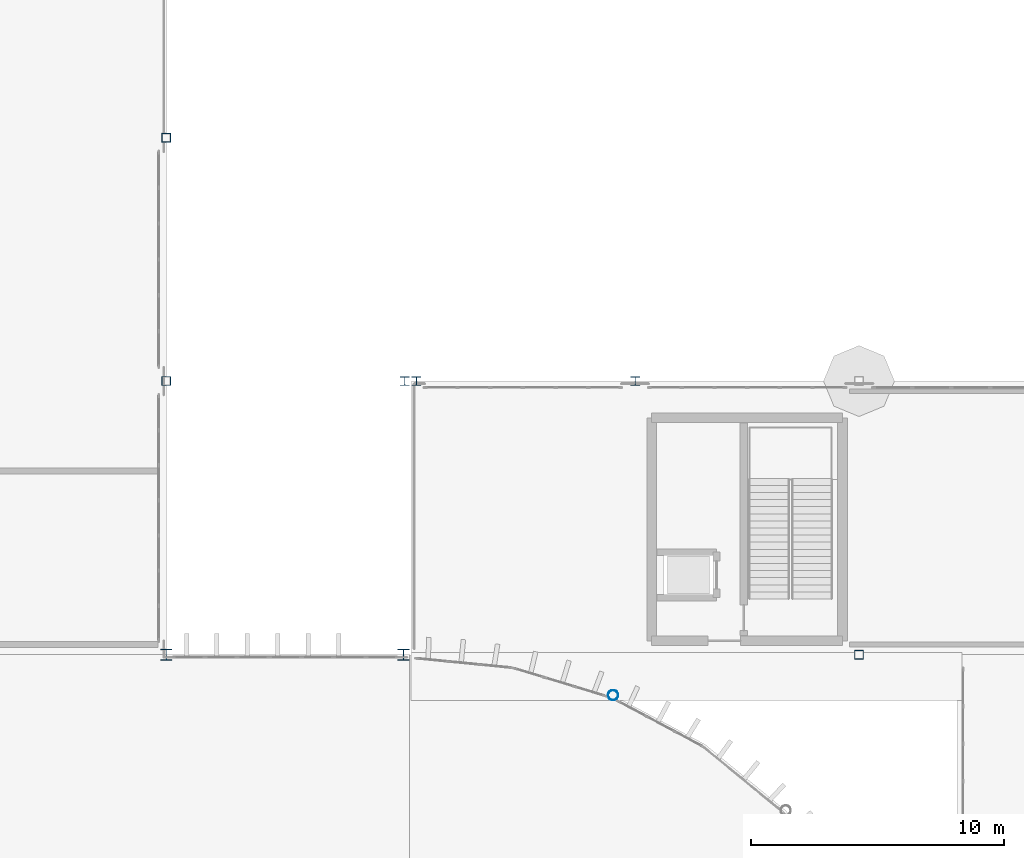
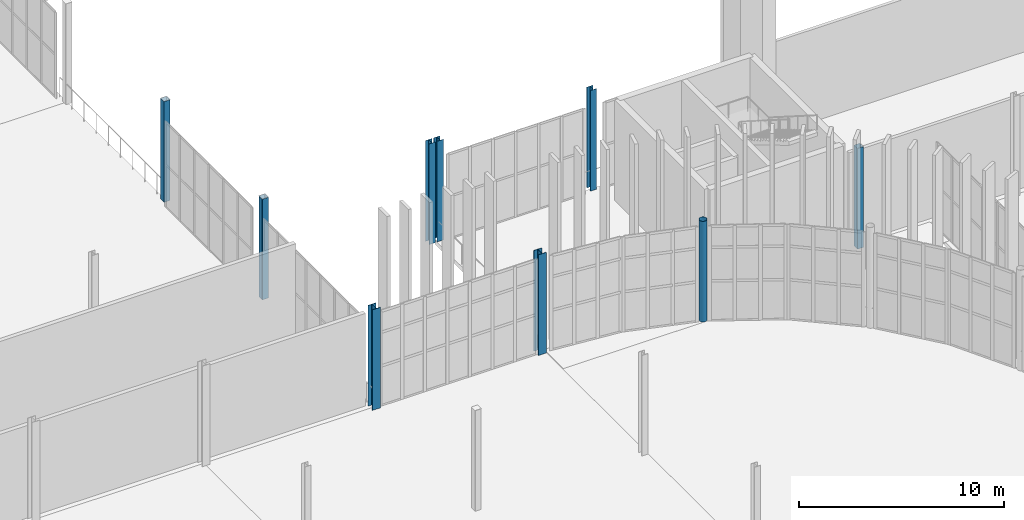
# One storey, part 21 of 139: 9 columns.
"""IFC4 building model written with IfcOpenShell, lengths in metres."""

from ifc_helpers import new_model, si_unit, direction, frame, origin, origin_2d, place, context, subcontext, project, spatial, hollow_rectangle, hollow_circle, i_section, extrude, material, material_profile, profile_set, type_object, element, save


model = new_model("IFC4")

# Units and contexts
model_context = context("Model", 3, precision=1e-05, world=origin(), true_north=direction((0.0, 1.0)))
body_context = subcontext(model_context, "Body", "Model", "MODEL_VIEW")
ifc_project = project(units=[si_unit("LENGTHUNIT", "METRE"), si_unit("AREAUNIT", "SQUARE_METRE"), si_unit("VOLUMEUNIT", "CUBIC_METRE"), si_unit("PLANEANGLEUNIT", "RADIAN"), si_unit("MASSUNIT", "GRAM", prefix="KILO")], contexts=[model_context])

# Site, building, storey
site_placement = place(None, origin())
site = spatial("IfcSite", under=ifc_project, at=site_placement, CompositionType="ELEMENT")
building_placement = place(site_placement, origin())
building = spatial("IfcBuilding", under=site, at=building_placement, Name="Yeouljin Market Hall", CompositionType="ELEMENT")
storey_placement = place(building_placement, origin())
storey = spatial("IfcBuildingStorey", under=building, at=storey_placement, Name="L00", CompositionType="ELEMENT", Elevation=0.0)

# Columns
ifc_material_1 = material(Name="Steel SM355", Category="steel")
ifc_material_profile_1 = material_profile(ifc_material_1, hollow_circle(Radius=0.203125, WallThickness=0.011962890625, at=origin_2d()), Name="CHS-406.4x12")
ifc_profile_set_1 = profile_set([ifc_material_profile_1], Name="Steel SM355")
column_type_1 = type_object("IfcColumnType", Name="Col_CHS-406.4x12", PredefinedType="COLUMN", material=ifc_profile_set_1)
column_placement = place(storey_placement, frame((149.036376953125, 76.401611328125, 0.0), z_axis=(0.0, 0.0, 1.0), x_axis=(1.0, 0.0, 0.0)))
element("IfcColumn", 1, at=column_placement, inside=storey, type_object=column_type_1, Name="Column AP-E14 (L00)", PredefinedType="COLUMN", context=body_context, shape_type="SweptSolid", body=[
    extrude(hollow_circle(Radius=0.203125, WallThickness=0.011962890625, at=origin_2d()), origin(), (0.0, 0.0, 1.0), 6.0),
])
ifc_material_2 = material(Name="Steel SM355", Category="steel")
ifc_material_profile_2 = material_profile(ifc_material_2, i_section(OverallWidth=0.35009765625, OverallDepth=0.35009765625, WebThickness=0.011962890625, FlangeThickness=0.01904296875, FilletRadius=0.02001953125, at=origin_2d()), Name="H-350x350x12x19")
ifc_profile_set_2 = profile_set([ifc_material_profile_2], Name="Steel SM355")
column_type_2 = type_object("IfcColumnType", Name="Col_H-350x350x12x19", PredefinedType="COLUMN", material=ifc_profile_set_2)
for number, where, z_axis, x_axis, name in (
    (2, (140.81005859375, 88.800048828125, 0.0), (0.0, 0.0, 1.0), (1.0, 0.0, 0.0), "Column G-16-09 (L00)"),
    (3, (141.27001953125, 88.800048828125, 0.0), (0.0, 0.0, 1.0), (1.0, 0.0, 0.0), "Column G-17-09 (L00)"),
    (4, (149.909912109375, 88.800048828125, 0.0), (0.0, 0.0, 1.0), (1.0, 0.0, 0.0), "Column G-18-09 (L00)"),
):
    element("IfcColumn", number, at=place(storey_placement, frame(where, z_axis=z_axis, x_axis=x_axis)), inside=storey, type_object=column_type_2, Name=name, PredefinedType="COLUMN", context=body_context, shape_type="SweptSolid", body=[
        extrude(i_section(OverallWidth=0.35009765625, OverallDepth=0.35009765625, WebThickness=0.011962890625, FlangeThickness=0.01904296875, FilletRadius=0.02001953125, at=origin_2d()), origin(), (0.0, 0.0, 1.0), 6.0),
    ])
ifc_material_3 = material(Name="Steel SM355", Category="steel")
ifc_material_profile_3 = material_profile(ifc_material_3, i_section(OverallWidth=0.449951171875, OverallDepth=0.449951171875, WebThickness=0.013916015625, FlangeThickness=0.02392578125, FilletRadius=0.02392578125, at=origin_2d()), Name="H-450x450x14x24")
ifc_profile_set_3 = profile_set([ifc_material_profile_3], Name="Steel SM355")
column_type_3 = type_object("IfcColumnType", Name="Col_H-450x450x14x24", PredefinedType="COLUMN", material=ifc_profile_set_3)
for number, where, z_axis, x_axis, name in (
    (5, (131.39990234375, 78.0, 0.0), (0.0, 0.0, 1.0), (1.0, 0.0, 0.0), "Column G-15-08 (L00)"),
    (6, (140.760009765625, 78.0, 0.0), (0.0, 0.0, 1.0), (1.0, 0.0, 0.0), "Column G-16-08 (L00)"),
):
    element("IfcColumn", number, at=place(storey_placement, frame(where, z_axis=z_axis, x_axis=x_axis)), inside=storey, type_object=column_type_3, Name=name, PredefinedType="COLUMN", context=body_context, shape_type="SweptSolid", body=[
        extrude(i_section(OverallWidth=0.449951171875, OverallDepth=0.449951171875, WebThickness=0.013916015625, FlangeThickness=0.02392578125, FilletRadius=0.02392578125, at=origin_2d()), origin(), (0.0, 0.0, 1.0), 6.0),
    ])
ifc_material_4 = material(Name="Steel SM355", Category="steel")
ifc_material_profile_4 = material_profile(ifc_material_4, hollow_rectangle(XDim=0.35009765625, YDim=0.35009765625, WallThickness=0.011962890625, InnerFilletRadius=0.011962890625, OuterFilletRadius=0.01611328125, at=origin_2d()), Name="SHS-350x350x12")
ifc_profile_set_4 = profile_set([ifc_material_profile_4], Name="Steel SM355")
column_type_4 = type_object("IfcColumnType", Name="Col_SHS-350x350x12", PredefinedType="COLUMN", material=ifc_profile_set_4)
for number, where, z_axis, x_axis, name in (
    (7, (131.39990234375, 88.800048828125, 0.0), (0.0, 0.0, 1.0), (1.0, 0.0, 0.0), "Column G-15-09 (L00)"),
    (8, (131.39990234375, 98.39990234375, 0.0), (0.0, 0.0, 1.0), (1.0, 0.0, 0.0), "Column G-15-10 (L00)"),
    (9, (158.739990234375, 78.0, 0.0), (0.0, 0.0, 1.0), (1.0, 0.0, 0.0), "Column G-19-08 (L00)"),
):
    element("IfcColumn", number, at=place(storey_placement, frame(where, z_axis=z_axis, x_axis=x_axis)), inside=storey, type_object=column_type_4, Name=name, PredefinedType="COLUMN", context=body_context, shape_type="SweptSolid", body=[
        extrude(hollow_rectangle(XDim=0.35009765625, YDim=0.35009765625, WallThickness=0.011962890625, InnerFilletRadius=0.011962890625, OuterFilletRadius=0.01611328125, at=origin_2d()), origin(), (0.0, 0.0, 1.0), 6.0),
    ])

save(model, "model.ifc")
